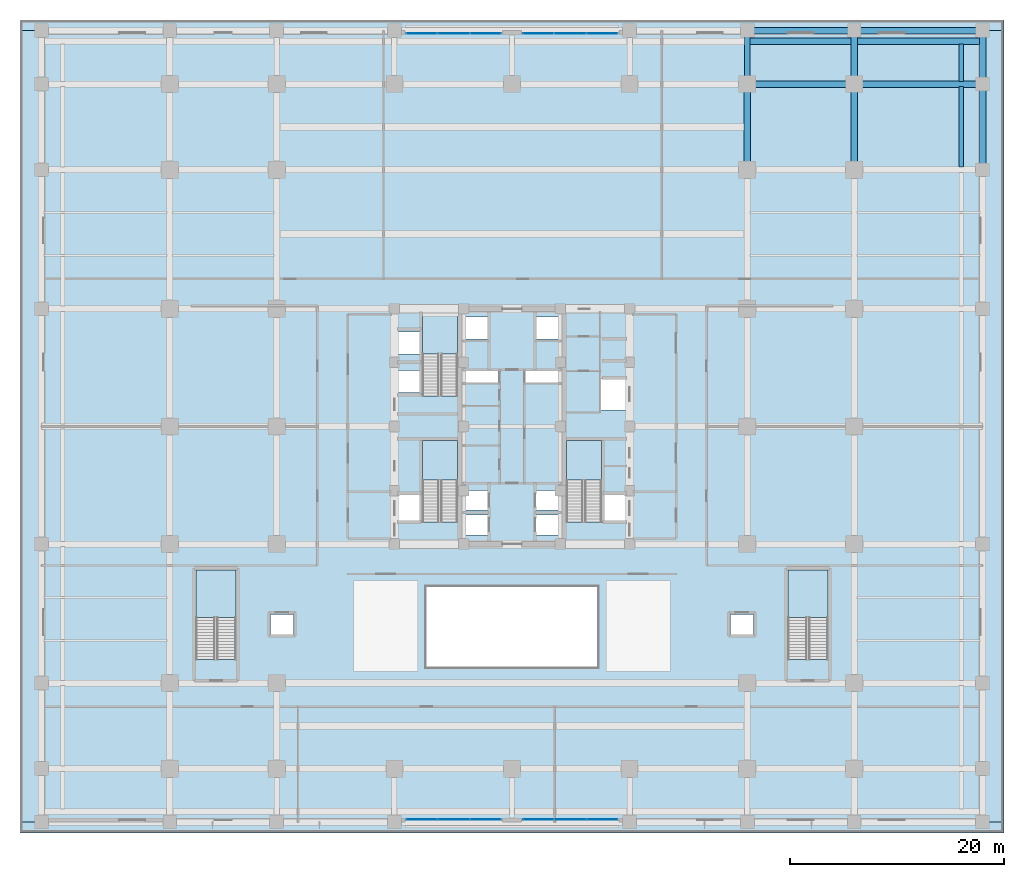
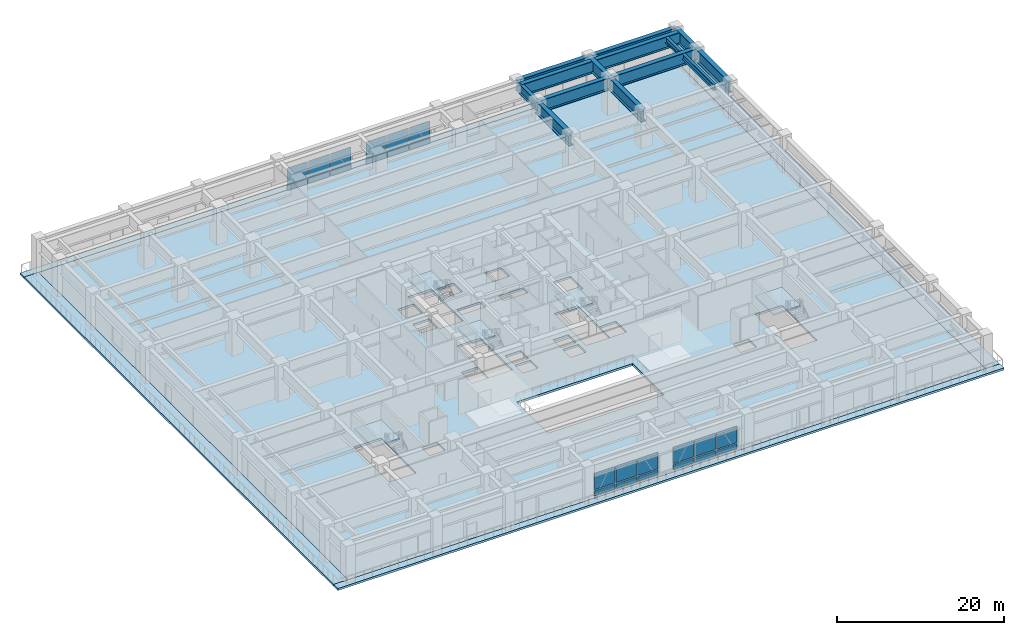
# One storey, part 14 of 28: 24 plates, 14 beams, 10 slabs, 9 elements without a shape of their own.
"""IFC4 building model written with IfcOpenShell, lengths in metres."""

from ifc_helpers import new_model, si_unit, direction, frame, origin, origin_2d, place, context, subcontext, project, spatial, polyline, rectangle, i_section, outline, extrude, source, transform, mapped, material, layer, layer_set, material_profile, profile_set, type_object, element, aggregate, save


model = new_model("IFC4")

# Units and contexts
model_context = context("Model", 3, precision=1e-05, world=origin(), true_north=direction((0.0, 1.0)))
body_context = subcontext(model_context, "Body", "Model", "MODEL_VIEW")
ifc_project = project(units=[si_unit("LENGTHUNIT", "METRE"), si_unit("AREAUNIT", "SQUARE_METRE"), si_unit("VOLUMEUNIT", "CUBIC_METRE"), si_unit("PLANEANGLEUNIT", "RADIAN"), si_unit("MASSUNIT", "GRAM", prefix="KILO")], contexts=[model_context])

# Site, building, storey
site_placement = place(None, origin())
site = spatial("IfcSite", under=ifc_project, at=site_placement, CompositionType="ELEMENT")
building_placement = place(site_placement, origin())
building = spatial("IfcBuilding", under=site, at=building_placement, Name="Khorayat Bourse Tower", CompositionType="ELEMENT")
storey_placement = place(building_placement, frame((0.0, 0.0, 6.60009765625)))
storey = spatial("IfcBuildingStorey", under=building, at=storey_placement, Name="L01", CompositionType="ELEMENT", Elevation=6.60009765625)

# Beams
ifc_material_1 = material(Name="Steel EN 10025-4 S460M", Category="steel")
ifc_material_profile_1 = material_profile(ifc_material_1, i_section(OverallWidth=0.60009765625, OverallDepth=1.800048828125, WebThickness=0.031982421875, FlangeThickness=0.06005859375, at=origin_2d()), Name="PG 1800x600x32x60")
ifc_profile_set_1 = profile_set([ifc_material_profile_1], Name="Steel EN 10025-4 S460M")
beam_type_1 = type_object("IfcBeamType", Name="BM-TR-1800", PredefinedType="BEAM", material=ifc_profile_set_1)
shared_shape_1 = source(origin(), body_context, "Body", "SweptSolid", [
    extrude(i_section(OverallWidth=0.60009765625, OverallDepth=1.800048828125, WebThickness=0.031982421875, FlangeThickness=0.06005859375, at=origin_2d()), origin(), (0.0, 0.0, 1.0), 10.0),
])
for number, where, z_axis, x_axis, name in (
    (1, (22.0, 32.0, 4.179931640625), (1.0, 0.0, 0.0), (0.0, 1.0, 0.0), "L01 BM-TR-1800 BM-L01-PGX-084"),
    (2, (22.0, 36.0, 4.179931640625), (1.0, 0.0, 0.0), (0.0, 1.0, 0.0), "L01 BM-TR-1800 BM-L01-PGX-089"),
    (3, (22.0, 37.0, 4.179931640625), (1.0, 0.0, 0.0), (0.0, 1.0, 0.0), "L01 BM-TR-1800 BM-L01-PGX-096"),
):
    element("IfcBeam", number, at=place(storey_placement, frame(where, z_axis=z_axis, x_axis=x_axis)), inside=storey, type_object=beam_type_1, Name=name, PredefinedType="BEAM", context=body_context, shape_type="MappedRepresentation", body=[
        mapped(shared_shape_1, transform((0.0, 0.0, 0.0), scale=1.0)),
    ])
shared_shape_2 = source(origin(), body_context, "Body", "SweptSolid", [
    extrude(i_section(OverallWidth=0.60009765625, OverallDepth=1.800048828125, WebThickness=0.031982421875, FlangeThickness=0.06005859375, at=origin_2d()), origin(), (0.0, 0.0, 1.0), 8.0),
])
for number, where, z_axis, x_axis, name in (
    (4, (22.0, 24.0, 4.179931640625), (0.0, 1.0, 0.0), (-1.0, 0.0, 0.0), "L01 BM-TR-1800 BM-L01-PGY-142"),
    (5, (32.0, 24.0, 4.179931640625), (0.0, 1.0, 0.0), (-1.0, 0.0, 0.0), "L01 BM-TR-1800 BM-L01-PGY-150"),
    (6, (44.0, 24.0, 4.179931640625), (0.0, 1.0, 0.0), (-1.0, 0.0, 0.0), "L01 BM-TR-1800 BM-L01-PGY-165"),
):
    element("IfcBeam", number, at=place(storey_placement, frame(where, z_axis=z_axis, x_axis=x_axis)), inside=storey, type_object=beam_type_1, Name=name, PredefinedType="BEAM", context=body_context, shape_type="MappedRepresentation", body=[
        mapped(shared_shape_2, transform((0.0, 0.0, 0.0), scale=1.0)),
    ])
ifc_material_2 = material(Name="Steel ASTM A992 Grade 50", Category="steel")
ifc_material_profile_2 = material_profile(ifc_material_2, i_section(OverallWidth=0.39990234375, OverallDepth=0.85498046875, WebThickness=0.018310546875, FlangeThickness=0.029296875, FilletRadius=0.02001953125, at=origin_2d()), Name="W840X299")
ifc_profile_set_2 = profile_set([ifc_material_profile_2], Name="Steel ASTM A992 Grade 50")
beam_type_2 = type_object("IfcBeamType", Name="BM-GIRD-840", PredefinedType="BEAM", material=ifc_profile_set_2)
shared_shape_3 = source(origin(), body_context, "Body", "SweptSolid", [
    extrude(i_section(OverallWidth=0.39990234375, OverallDepth=0.85498046875, WebThickness=0.018310546875, FlangeThickness=0.029296875, FilletRadius=0.02001953125, at=origin_2d()), origin(), (0.0, 0.0, 1.0), 7.52001953125),
])
beam_1_placement = place(storey_placement, frame((42.0, 24.239990234375, 4.65234375), z_axis=(0.0, 1.0, 0.0), x_axis=(-1.0, 0.0, 0.0)))
element("IfcBeam", 7, at=beam_1_placement, inside=storey, type_object=beam_type_2, Name="L01 BM-GIRD-840 BM-L01-PGY-158", PredefinedType="BEAM", context=body_context, shape_type="MappedRepresentation", body=[
    mapped(shared_shape_3, transform((0.0, 0.0, 0.0), scale=1.0)),
])
shared_shape_4 = source(origin(), body_context, "Body", "SweptSolid", [
    extrude(i_section(OverallWidth=0.60009765625, OverallDepth=1.800048828125, WebThickness=0.031982421875, FlangeThickness=0.06005859375, at=origin_2d()), origin(), (0.0, 0.0, 1.0), 12.0),
])
for number, where, z_axis, x_axis, name in (
    (8, (32.0, 32.0, 4.179931640625), (1.0, 0.0, 0.0), (0.0, 1.0, 0.0), "L01 BM-TR-1800 BM-L01-PGX-085"),
    (9, (32.0, 36.0, 4.179931640625), (1.0, 0.0, 0.0), (0.0, 1.0, 0.0), "L01 BM-TR-1800 BM-L01-PGX-090"),
    (10, (32.0, 37.0, 4.179931640625), (1.0, 0.0, 0.0), (0.0, 1.0, 0.0), "L01 BM-TR-1800 BM-L01-PGX-097"),
):
    element("IfcBeam", number, at=place(storey_placement, frame(where, z_axis=z_axis, x_axis=x_axis)), inside=storey, type_object=beam_type_1, Name=name, PredefinedType="BEAM", context=body_context, shape_type="MappedRepresentation", body=[
        mapped(shared_shape_4, transform((0.0, 0.0, 0.0), scale=1.0)),
    ])
shared_shape_5 = source(origin(), body_context, "Body", "SweptSolid", [
    extrude(i_section(OverallWidth=0.60009765625, OverallDepth=1.800048828125, WebThickness=0.031982421875, FlangeThickness=0.06005859375, at=origin_2d()), origin(), (0.0, 0.0, 1.0), 5.0),
])
for number, where, z_axis, x_axis, name in (
    (11, (32.0, 32.0, 4.179931640625), (0.0, 1.0, 0.0), (-1.0, 0.0, 0.0), "L01 BM-TR-1800 BM-L01-PGY-151"),
    (12, (44.0, 32.0, 4.179931640625), (0.0, 1.0, 0.0), (-1.0, 0.0, 0.0), "L01 BM-TR-1800 BM-L01-PGY-166"),
):
    element("IfcBeam", number, at=place(storey_placement, frame(where, z_axis=z_axis, x_axis=x_axis)), inside=storey, type_object=beam_type_1, Name=name, PredefinedType="BEAM", context=body_context, shape_type="MappedRepresentation", body=[
        mapped(shared_shape_5, transform((0.0, 0.0, 0.0), scale=1.0)),
    ])
shared_shape_6 = source(origin(), body_context, "Body", "SweptSolid", [
    extrude(i_section(OverallWidth=0.39990234375, OverallDepth=0.85498046875, WebThickness=0.018310546875, FlangeThickness=0.029296875, FilletRadius=0.02001953125, at=origin_2d()), origin(), (0.0, 0.0, 1.0), 3.52001953125),
])
beam_2_placement = place(storey_placement, frame((42.0, 32.239990234375, 4.65234375), z_axis=(0.0, 1.0, 0.0), x_axis=(-1.0, 0.0, 0.0)))
element("IfcBeam", 13, at=beam_2_placement, inside=storey, type_object=beam_type_2, Name="L01 BM-GIRD-840 BM-L01-PGY-159", PredefinedType="BEAM", context=body_context, shape_type="MappedRepresentation", body=[
    mapped(shared_shape_6, transform((0.0, 0.0, 0.0), scale=1.0)),
])
ifc_material_profile_3 = material_profile(ifc_material_1, i_section(OverallWidth=0.5, OverallDepth=1.39990234375, WebThickness=0.02490234375, FlangeThickness=0.050048828125, at=origin_2d()), Name="PG 1400x500x25x50")
ifc_profile_set_3 = profile_set([ifc_material_profile_3], Name="Steel EN 10025-4 S460M")
beam_type_3 = type_object("IfcBeamType", Name="BM-TR-1400", PredefinedType="BEAM", material=ifc_profile_set_3)
shared_shape_7 = source(origin(), body_context, "Body", "SweptSolid", [
    extrude(i_section(OverallWidth=0.5, OverallDepth=1.39990234375, WebThickness=0.02490234375, FlangeThickness=0.050048828125, at=origin_2d()), origin(), (0.0, 0.0, 1.0), 5.0),
])
beam_3_placement = place(storey_placement, frame((22.0, 32.0, 4.3798828125), z_axis=(0.0, 1.0, 0.0), x_axis=(-1.0, 0.0, 0.0)))
element("IfcBeam", 14, at=beam_3_placement, inside=storey, type_object=beam_type_3, Name="L01 BM-TR-1400 BM-L01-PGY-143", PredefinedType="BEAM", context=body_context, shape_type="MappedRepresentation", body=[
    mapped(shared_shape_7, transform((0.0, 0.0, 0.0), scale=1.0)),
])

# Stair, slab
ifc_material_3 = material(Name="Concrete C40/50", Category="concrete")
stair_type_1 = type_object("IfcStairType", Name="STR-CORE-1550", PredefinedType="HALF_TURN_STAIR", material=ifc_material_3)
stair_1_placement = place(storey_placement, origin())
stair_1 = element("IfcStair", 15, at=stair_1_placement, inside=storey, type_object=stair_type_1, Name="L01 Exit Stair ST-1", PredefinedType="HALF_TURN_STAIR")
ifc_layer_1 = layer(ifc_material_3, 0.199951171875)
ifc_layer_set_1 = layer_set([ifc_layer_1], Name="Concrete C40/50")
slab_type_1 = type_object("IfcSlabType", Name="SLB-LANDING-200", PredefinedType="LANDING", material=ifc_layer_set_1)
slab_1_placement = place(storey_placement, frame((0.0, 0.0, 2.5)))
slab_1 = element("IfcSlab", 16, at=slab_1_placement, type_object=slab_type_1, Name="ST-1 landing 1", PredefinedType="LANDING", context=body_context, shape_type="SweptSolid", body=[
    extrude(outline(polyline([(-5.10009765625, -5.030029296875), (-5.10009765625, -1.300048828125), (-8.35009765625, -1.300048828125), (-8.35009765625, -5.030029296875), (-5.10009765625, -5.030029296875)])), origin(), (0.0, 0.0, 1.0), 0.199951171875),
])
aggregate(stair_1, [slab_1])

stair_2_placement = place(storey_placement, origin())
stair_2 = element("IfcStair", 17, at=stair_2_placement, inside=storey, type_object=stair_type_1, Name="L01 Exit Stair ST-2", PredefinedType="HALF_TURN_STAIR")
slab_2_placement = place(storey_placement, frame((0.0, 0.0, 2.5)))
slab_2 = element("IfcSlab", 18, at=slab_2_placement, type_object=slab_type_1, Name="ST-2 landing 1", PredefinedType="LANDING", context=body_context, shape_type="SweptSolid", body=[
    extrude(outline(polyline([(-5.10009765625, 6.77001953125), (-5.10009765625, 10.5), (-8.35009765625, 10.5), (-8.35009765625, 6.77001953125), (-5.10009765625, 6.77001953125)])), origin(), (0.0, 0.0, 1.0), 0.199951171875),
])
aggregate(stair_2, [slab_2])

stair_3_placement = place(storey_placement, origin())
stair_3 = element("IfcStair", 19, at=stair_3_placement, inside=storey, type_object=stair_type_1, Name="L01 Exit Stair ST-3", PredefinedType="HALF_TURN_STAIR")
slab_3_placement = place(storey_placement, frame((0.0, 0.0, 2.5)))
slab_3 = element("IfcSlab", 20, at=slab_3_placement, type_object=slab_type_1, Name="ST-3 landing 1", PredefinedType="LANDING", context=body_context, shape_type="SweptSolid", body=[
    extrude(outline(polyline([(8.35009765625, -5.030029296875), (8.35009765625, -1.300048828125), (5.10009765625, -1.300048828125), (5.10009765625, -5.030029296875), (8.35009765625, -5.030029296875)])), origin(), (0.0, 0.0, 1.0), 0.199951171875),
])
aggregate(stair_3, [slab_3])

stair_type_2 = type_object("IfcStairType", Name="STR-POD-1800", PredefinedType="HALF_TURN_STAIR", material=ifc_material_3)
stair_4_placement = place(storey_placement, origin())
stair_4 = element("IfcStair", 21, at=stair_4_placement, inside=storey, type_object=stair_type_2, Name="L01 Exit Stair ST-P1", PredefinedType="HALF_TURN_STAIR")
slab_4_placement = place(storey_placement, frame((0.0, 0.0, 2.5)))
slab_4 = element("IfcSlab", 22, at=slab_4_placement, type_object=slab_type_1, Name="ST-P1 landing 1", PredefinedType="LANDING", context=body_context, shape_type="SweptSolid", body=[
    extrude(outline(polyline([(-25.800048828125, -17.8798828125), (-25.800048828125, -13.39990234375), (-29.550048828125, -13.39990234375), (-29.550048828125, -17.8798828125), (-25.800048828125, -17.8798828125)])), origin(), (0.0, 0.0, 1.0), 0.199951171875),
])
aggregate(stair_4, [slab_4])

stair_5_placement = place(storey_placement, origin())
stair_5 = element("IfcStair", 23, at=stair_5_placement, inside=storey, type_object=stair_type_2, Name="L01 Exit Stair ST-P2", PredefinedType="HALF_TURN_STAIR")
slab_5_placement = place(storey_placement, frame((0.0, 0.0, 2.5)))
slab_5 = element("IfcSlab", 24, at=slab_5_placement, type_object=slab_type_1, Name="ST-P2 landing 1", PredefinedType="LANDING", context=body_context, shape_type="SweptSolid", body=[
    extrude(outline(polyline([(29.550048828125, -17.8798828125), (29.550048828125, -13.39990234375), (25.800048828125, -13.39990234375), (25.800048828125, -17.8798828125), (29.550048828125, -17.8798828125)])), origin(), (0.0, 0.0, 1.0), 0.199951171875),
])
aggregate(stair_5, [slab_5])

# Slabs
ifc_layer_2 = layer(ifc_material_3, 0.320068359375)
ifc_layer_set_2 = layer_set([ifc_layer_2], Name="Concrete C40/50")
slab_type_2 = type_object("IfcSlabType", Name="SLB-POD-320", PredefinedType="FLOOR", material=ifc_layer_set_2)
slab_6_placement = place(storey_placement, frame((0.0, 0.0, -0.320068359375)))
element("IfcSlab", 25, at=slab_6_placement, inside=storey, type_object=slab_type_2, Name="L01 Main Floor Slab", PredefinedType="FLOOR", context=body_context, shape_type="SweptSolid", body=[
    extrude(outline(polyline([(-44.0, -37.0), (44.0, -37.0), (44.0, 37.0), (-44.0, 37.0), (-44.0, -37.0)]), holes=[polyline([(-8.35009765625, -8.945068359375), (-5.10009765625, -8.945068359375), (-5.10009765625, -1.300048828125), (-8.35009765625, -1.300048828125), (-8.35009765625, -8.945068359375)]), polyline([(-8.35009765625, 2.85498046875), (-5.10009765625, 2.85498046875), (-5.10009765625, 10.5), (-8.35009765625, 10.5), (-8.35009765625, 2.85498046875)]), polyline([(5.10009765625, -8.945068359375), (8.35009765625, -8.945068359375), (8.35009765625, -1.300048828125), (5.10009765625, -1.300048828125), (5.10009765625, -8.945068359375)]), polyline([(-29.550048828125, -21.794921875), (-25.800048828125, -21.794921875), (-25.800048828125, -13.39990234375), (-29.550048828125, -13.39990234375), (-29.550048828125, -21.794921875)]), polyline([(25.800048828125, -21.794921875), (29.550048828125, -21.794921875), (29.550048828125, -13.39990234375), (25.800048828125, -13.39990234375), (25.800048828125, -21.794921875)]), polyline([(-4.3798828125, -10.1298828125), (-2.219970703125, -10.1298828125), (-2.219970703125, -8.27001953125), (-4.3798828125, -8.27001953125), (-4.3798828125, -10.1298828125)]), polyline([(2.219970703125, -10.1298828125), (4.3798828125, -10.1298828125), (4.3798828125, -8.27001953125), (2.219970703125, -8.27001953125), (2.219970703125, -10.1298828125)]), polyline([(-4.3798828125, -7.830078125), (-2.219970703125, -7.830078125), (-2.219970703125, -5.969970703125), (-4.3798828125, -5.969970703125), (-4.3798828125, -7.830078125)]), polyline([(2.219970703125, -7.830078125), (4.3798828125, -7.830078125), (4.3798828125, -5.969970703125), (2.219970703125, -5.969970703125), (2.219970703125, -7.830078125)]), polyline([(-4.3798828125, 8.169921875), (-2.1201171875, 8.169921875), (-2.1201171875, 10.22998046875), (-4.3798828125, 10.22998046875), (-4.3798828125, 8.169921875)]), polyline([(2.1201171875, 8.169921875), (4.3798828125, 8.169921875), (4.3798828125, 10.22998046875), (2.1201171875, 10.22998046875), (2.1201171875, 8.169921875)]), polyline([(-10.679931640625, 3.169921875), (-8.419921875, 3.169921875), (-8.419921875, 5.22998046875), (-10.679931640625, 5.22998046875), (-10.679931640625, 3.169921875)]), polyline([(-10.679931640625, 6.77001953125), (-8.419921875, 6.77001953125), (-8.419921875, 8.830078125), (-10.679931640625, 8.830078125), (-10.679931640625, 6.77001953125)]), polyline([(-22.580078125, -19.429931640625), (-20.419921875, -19.429931640625), (-20.419921875, -17.570068359375), (-22.580078125, -17.570068359375), (-22.580078125, -19.429931640625)]), polyline([(20.419921875, -19.429931640625), (22.580078125, -19.429931640625), (22.580078125, -17.570068359375), (20.419921875, -17.570068359375), (20.419921875, -19.429931640625)]), polyline([(-10.679931640625, -8.929931640625), (-8.419921875, -8.929931640625), (-8.419921875, -6.3701171875), (-10.679931640625, -6.3701171875), (-10.679931640625, -8.929931640625)]), polyline([(8.419921875, -8.929931640625), (10.679931640625, -8.929931640625), (10.679931640625, -6.3701171875), (8.419921875, -6.3701171875), (8.419921875, -8.929931640625)]), polyline([(8.320068359375, 1.52001953125), (10.679931640625, 1.52001953125), (10.679931640625, 4.47998046875), (8.320068359375, 4.47998046875), (8.320068359375, 1.52001953125)]), polyline([(-4.56005859375, 4.080078125), (-1.18994140625, 4.080078125), (-1.18994140625, 5.219970703125), (-4.56005859375, 5.219970703125), (-4.56005859375, 4.080078125)]), polyline([(1.18994140625, 4.080078125), (4.56005859375, 4.080078125), (4.56005859375, 5.219970703125), (1.18994140625, 5.219970703125), (1.18994140625, 4.080078125)]), polyline([(-8.0, -22.5), (8.0, -22.5), (8.0, -15.0), (-8.0, -15.0), (-8.0, -22.5)])]), origin(), (0.0, 0.0, 1.0), 0.320068359375),
])
ifc_layer_3 = layer(ifc_material_3, 0.300048828125)
ifc_layer_set_3 = layer_set([ifc_layer_3], Name="Concrete C40/50")
slab_type_3 = type_object("IfcSlabType", Name="SLB-TERR-300", PredefinedType="FLOOR", material=ifc_layer_set_3)
slab_7_placement = place(storey_placement, frame((0.0, 0.0, -0.300048828125)))
element("IfcSlab", 26, at=slab_7_placement, inside=storey, type_object=slab_type_3, Name="L01 Planted Garden Terrace Slab 01", PredefinedType="FLOOR", context=body_context, shape_type="SweptSolid", body=[
    extrude(outline(polyline([(-46.0, 37.0), (46.0, 37.0), (46.0, 38.0), (-46.0, 38.0), (-46.0, 37.0)])), origin(), (0.0, 0.0, 1.0), 0.300048828125),
])
slab_8_placement = place(storey_placement, frame((0.0, 0.0, -0.300048828125)))
element("IfcSlab", 27, at=slab_8_placement, inside=storey, type_object=slab_type_3, Name="L01 Planted Garden Terrace Slab 02", PredefinedType="FLOOR", context=body_context, shape_type="SweptSolid", body=[
    extrude(outline(polyline([(-46.0, -38.0), (46.0, -38.0), (46.0, -37.0), (-46.0, -37.0), (-46.0, -38.0)])), origin(), (0.0, 0.0, 1.0), 0.300048828125),
])
slab_9_placement = place(storey_placement, frame((0.0, 0.0, -0.300048828125)))
element("IfcSlab", 28, at=slab_9_placement, inside=storey, type_object=slab_type_3, Name="L01 Planted Garden Terrace Slab 03", PredefinedType="FLOOR", context=body_context, shape_type="SweptSolid", body=[
    extrude(outline(polyline([(-46.0, -37.0), (-44.0, -37.0), (-44.0, 37.0), (-46.0, 37.0), (-46.0, -37.0)])), origin(), (0.0, 0.0, 1.0), 0.300048828125),
])
slab_10_placement = place(storey_placement, frame((0.0, 0.0, -0.300048828125)))
element("IfcSlab", 29, at=slab_10_placement, inside=storey, type_object=slab_type_3, Name="L01 Planted Garden Terrace Slab 04", PredefinedType="FLOOR", context=body_context, shape_type="SweptSolid", body=[
    extrude(outline(polyline([(44.0, -37.0), (46.0, -37.0), (46.0, 37.0), (44.0, 37.0), (44.0, -37.0)])), origin(), (0.0, 0.0, 1.0), 0.300048828125),
])

# Curtain wall, plates
ifc_material_4 = material(Name="Aluminium EN AW-6063 T6", Category="aluminium")
curtain_wall_type = type_object("IfcCurtainWallType", Name="CW-SYS-01", PredefinedType="NOTDEFINED", material=ifc_material_4)
curtain_wall_1_placement = place(storey_placement, origin())
curtain_wall_1 = element("IfcCurtainWall", 30, at=curtain_wall_1_placement, inside=storey, type_object=curtain_wall_type, Name="L01 Curtain Wall CW-L01-SW", PredefinedType="NOTDEFINED")
ifc_material_5 = material(Name="Honed desert limestone insulated spandrel", Category="masonry")
ifc_layer_4 = layer(ifc_material_5, 0.06494140625)
ifc_layer_set_4 = layer_set([ifc_layer_4], Name="Honed desert limestone insulated spandrel")
plate_type_1 = type_object("IfcPlateType", Name="CWP-SPAND-03", PredefinedType="CURTAIN_PANEL", material=ifc_layer_set_4)
shared_shape_8 = source(origin(), body_context, "Body", "SweptSolid", [
    extrude(rectangle(XDim=2.8232421875, YDim=0.06494140625, at=origin_2d()), origin(), (0.0, 0.0, 1.0), 0.739990234375),
])
plate_1_placement = place(storey_placement, frame((-8.4482421875, -36.742919921875, 0.14013671875), z_axis=(0.0, 0.0, 1.0), x_axis=(1.0, 0.0, 0.0)))
plate_1 = element("IfcPlate", 31, at=plate_1_placement, type_object=plate_type_1, Name="CW-L01-SW Spandrel Panel 1-1", PredefinedType="CURTAIN_PANEL", context=body_context, shape_type="MappedRepresentation", body=[
    mapped(shared_shape_8, transform((0.0, 0.0, 0.0), scale=1.0)),
])
plate_2_placement = place(storey_placement, frame((-2.45166015625, -36.742919921875, 0.14013671875), z_axis=(0.0, 0.0, 1.0), x_axis=(1.0, 0.0, 0.0)))
plate_2 = element("IfcPlate", 32, at=plate_2_placement, type_object=plate_type_1, Name="CW-L01-SW Spandrel Panel 3-1", PredefinedType="CURTAIN_PANEL", context=body_context, shape_type="MappedRepresentation", body=[
    mapped(shared_shape_8, transform((0.0, 0.0, 0.0), scale=1.0)),
])

curtain_wall_2_placement = place(storey_placement, origin())
curtain_wall_2 = element("IfcCurtainWall", 33, at=curtain_wall_2_placement, inside=storey, type_object=curtain_wall_type, Name="L01 Curtain Wall CW-L01-SE", PredefinedType="NOTDEFINED")
plate_3_placement = place(storey_placement, frame((2.45166015625, -36.742919921875, 0.14013671875), z_axis=(0.0, 0.0, 1.0), x_axis=(1.0, 0.0, 0.0)))
plate_3 = element("IfcPlate", 34, at=plate_3_placement, type_object=plate_type_1, Name="CW-L01-SE Spandrel Panel 1-1", PredefinedType="CURTAIN_PANEL", context=body_context, shape_type="MappedRepresentation", body=[
    mapped(shared_shape_8, transform((0.0, 0.0, 0.0), scale=1.0)),
])
plate_4_placement = place(storey_placement, frame((8.4482421875, -36.742919921875, 0.14013671875), z_axis=(0.0, 0.0, 1.0), x_axis=(1.0, 0.0, 0.0)))
plate_4 = element("IfcPlate", 35, at=plate_4_placement, type_object=plate_type_1, Name="CW-L01-SE Spandrel Panel 3-1", PredefinedType="CURTAIN_PANEL", context=body_context, shape_type="MappedRepresentation", body=[
    mapped(shared_shape_8, transform((0.0, 0.0, 0.0), scale=1.0)),
])

curtain_wall_3_placement = place(storey_placement, origin())
curtain_wall_3 = element("IfcCurtainWall", 36, at=curtain_wall_3_placement, inside=storey, type_object=curtain_wall_type, Name="L01 Curtain Wall CW-L01-NW", PredefinedType="NOTDEFINED")
plate_5_placement = place(storey_placement, frame((-2.45166015625, 36.742919921875, 0.14013671875), z_axis=(0.0, 0.0, 1.0), x_axis=(-1.0, 0.0, 0.0)))
plate_5 = element("IfcPlate", 37, at=plate_5_placement, type_object=plate_type_1, Name="CW-L01-NW Spandrel Panel 1-1", PredefinedType="CURTAIN_PANEL", context=body_context, shape_type="MappedRepresentation", body=[
    mapped(shared_shape_8, transform((0.0, 0.0, 0.0), scale=1.0)),
])
plate_6_placement = place(storey_placement, frame((-8.4482421875, 36.742919921875, 0.14013671875), z_axis=(0.0, 0.0, 1.0), x_axis=(-1.0, 0.0, 0.0)))
plate_6 = element("IfcPlate", 38, at=plate_6_placement, type_object=plate_type_1, Name="CW-L01-NW Spandrel Panel 3-1", PredefinedType="CURTAIN_PANEL", context=body_context, shape_type="MappedRepresentation", body=[
    mapped(shared_shape_8, transform((0.0, 0.0, 0.0), scale=1.0)),
])

curtain_wall_4_placement = place(storey_placement, origin())
curtain_wall_4 = element("IfcCurtainWall", 39, at=curtain_wall_4_placement, inside=storey, type_object=curtain_wall_type, Name="L01 Curtain Wall CW-L01-NE", PredefinedType="NOTDEFINED")
plate_7_placement = place(storey_placement, frame((8.4482421875, 36.742919921875, 0.14013671875), z_axis=(0.0, 0.0, 1.0), x_axis=(-1.0, 0.0, 0.0)))
plate_7 = element("IfcPlate", 40, at=plate_7_placement, type_object=plate_type_1, Name="CW-L01-NE Spandrel Panel 1-1", PredefinedType="CURTAIN_PANEL", context=body_context, shape_type="MappedRepresentation", body=[
    mapped(shared_shape_8, transform((0.0, 0.0, 0.0), scale=1.0)),
])
plate_8_placement = place(storey_placement, frame((2.45166015625, 36.742919921875, 0.14013671875), z_axis=(0.0, 0.0, 1.0), x_axis=(-1.0, 0.0, 0.0)))
plate_8 = element("IfcPlate", 41, at=plate_8_placement, type_object=plate_type_1, Name="CW-L01-NE Spandrel Panel 3-1", PredefinedType="CURTAIN_PANEL", context=body_context, shape_type="MappedRepresentation", body=[
    mapped(shared_shape_8, transform((0.0, 0.0, 0.0), scale=1.0)),
])

# Plate
ifc_material_6 = material(Name="Low-E solar-control laminated double glazing", Category="glass")
ifc_layer_5 = layer(ifc_material_6, 0.035888671875)
ifc_layer_set_5 = layer_set([ifc_layer_5], Name="Low-E solar-control laminated double glazing")
plate_type_2 = type_object("IfcPlateType", Name="CWP-VIS-01", PredefinedType="CURTAIN_PANEL", material=ifc_layer_set_5)
shared_shape_9 = source(origin(), body_context, "Body", "SweptSolid", [
    extrude(rectangle(XDim=2.8232421875, YDim=0.035888671875, at=origin_2d()), origin(), (0.0, 0.0, 1.0), 2.389892578125),
])
plate_9_placement = place(storey_placement, frame((-8.4482421875, -36.742919921875, 1.02001953125), z_axis=(0.0, 0.0, 1.0), x_axis=(1.0, 0.0, 0.0)))
plate_9 = element("IfcPlate", 42, at=plate_9_placement, type_object=plate_type_2, Name="CW-L01-SW Vision Panel 1-2", PredefinedType="CURTAIN_PANEL", context=body_context, shape_type="MappedRepresentation", body=[
    mapped(shared_shape_9, transform((0.0, 0.0, 0.0), scale=1.0)),
])

plate_10_placement = place(storey_placement, frame((-2.45166015625, -36.742919921875, 1.02001953125), z_axis=(0.0, 0.0, 1.0), x_axis=(1.0, 0.0, 0.0)))
plate_10 = element("IfcPlate", 43, at=plate_10_placement, type_object=plate_type_2, Name="CW-L01-SW Vision Panel 3-2", PredefinedType="CURTAIN_PANEL", context=body_context, shape_type="MappedRepresentation", body=[
    mapped(shared_shape_9, transform((0.0, 0.0, 0.0), scale=1.0)),
])

plate_11_placement = place(storey_placement, frame((2.45166015625, -36.742919921875, 1.02001953125), z_axis=(0.0, 0.0, 1.0), x_axis=(1.0, 0.0, 0.0)))
plate_11 = element("IfcPlate", 44, at=plate_11_placement, type_object=plate_type_2, Name="CW-L01-SE Vision Panel 1-2", PredefinedType="CURTAIN_PANEL", context=body_context, shape_type="MappedRepresentation", body=[
    mapped(shared_shape_9, transform((0.0, 0.0, 0.0), scale=1.0)),
])

plate_12_placement = place(storey_placement, frame((8.4482421875, -36.742919921875, 1.02001953125), z_axis=(0.0, 0.0, 1.0), x_axis=(1.0, 0.0, 0.0)))
plate_12 = element("IfcPlate", 45, at=plate_12_placement, type_object=plate_type_2, Name="CW-L01-SE Vision Panel 3-2", PredefinedType="CURTAIN_PANEL", context=body_context, shape_type="MappedRepresentation", body=[
    mapped(shared_shape_9, transform((0.0, 0.0, 0.0), scale=1.0)),
])

plate_13_placement = place(storey_placement, frame((-2.45166015625, 36.742919921875, 1.02001953125), z_axis=(0.0, 0.0, 1.0), x_axis=(-1.0, 0.0, 0.0)))
plate_13 = element("IfcPlate", 46, at=plate_13_placement, type_object=plate_type_2, Name="CW-L01-NW Vision Panel 1-2", PredefinedType="CURTAIN_PANEL", context=body_context, shape_type="MappedRepresentation", body=[
    mapped(shared_shape_9, transform((0.0, 0.0, 0.0), scale=1.0)),
])

plate_14_placement = place(storey_placement, frame((-8.4482421875, 36.742919921875, 1.02001953125), z_axis=(0.0, 0.0, 1.0), x_axis=(-1.0, 0.0, 0.0)))
plate_14 = element("IfcPlate", 47, at=plate_14_placement, type_object=plate_type_2, Name="CW-L01-NW Vision Panel 3-2", PredefinedType="CURTAIN_PANEL", context=body_context, shape_type="MappedRepresentation", body=[
    mapped(shared_shape_9, transform((0.0, 0.0, 0.0), scale=1.0)),
])

plate_15_placement = place(storey_placement, frame((8.4482421875, 36.742919921875, 1.02001953125), z_axis=(0.0, 0.0, 1.0), x_axis=(-1.0, 0.0, 0.0)))
plate_15 = element("IfcPlate", 48, at=plate_15_placement, type_object=plate_type_2, Name="CW-L01-NE Vision Panel 1-2", PredefinedType="CURTAIN_PANEL", context=body_context, shape_type="MappedRepresentation", body=[
    mapped(shared_shape_9, transform((0.0, 0.0, 0.0), scale=1.0)),
])

plate_16_placement = place(storey_placement, frame((2.45166015625, 36.742919921875, 1.02001953125), z_axis=(0.0, 0.0, 1.0), x_axis=(-1.0, 0.0, 0.0)))
plate_16 = element("IfcPlate", 49, at=plate_16_placement, type_object=plate_type_2, Name="CW-L01-NE Vision Panel 3-2", PredefinedType="CURTAIN_PANEL", context=body_context, shape_type="MappedRepresentation", body=[
    mapped(shared_shape_9, transform((0.0, 0.0, 0.0), scale=1.0)),
])

shared_shape_10 = source(origin(), body_context, "Body", "SweptSolid", [
    extrude(rectangle(XDim=2.893310546875, YDim=0.06494140625, at=origin_2d()), origin(), (0.0, 0.0, 1.0), 0.739990234375),
])
plate_17_placement = place(storey_placement, frame((-5.449951171875, -36.742919921875, 0.14013671875), z_axis=(0.0, 0.0, 1.0), x_axis=(1.0, 0.0, 0.0)))
plate_17 = element("IfcPlate", 50, at=plate_17_placement, type_object=plate_type_1, Name="CW-L01-SW Spandrel Panel 2-1", PredefinedType="CURTAIN_PANEL", context=body_context, shape_type="MappedRepresentation", body=[
    mapped(shared_shape_10, transform((0.0, 0.0, 0.0), scale=1.0)),
])

plate_18_placement = place(storey_placement, frame((5.449951171875, -36.742919921875, 0.14013671875), z_axis=(0.0, 0.0, 1.0), x_axis=(1.0, 0.0, 0.0)))
plate_18 = element("IfcPlate", 51, at=plate_18_placement, type_object=plate_type_1, Name="CW-L01-SE Spandrel Panel 2-1", PredefinedType="CURTAIN_PANEL", context=body_context, shape_type="MappedRepresentation", body=[
    mapped(shared_shape_10, transform((0.0, 0.0, 0.0), scale=1.0)),
])

plate_19_placement = place(storey_placement, frame((-5.449951171875, 36.742919921875, 0.14013671875), z_axis=(0.0, 0.0, 1.0), x_axis=(-1.0, 0.0, 0.0)))
plate_19 = element("IfcPlate", 52, at=plate_19_placement, type_object=plate_type_1, Name="CW-L01-NW Spandrel Panel 2-1", PredefinedType="CURTAIN_PANEL", context=body_context, shape_type="MappedRepresentation", body=[
    mapped(shared_shape_10, transform((0.0, 0.0, 0.0), scale=1.0)),
])

plate_20_placement = place(storey_placement, frame((5.449951171875, 36.742919921875, 0.14013671875), z_axis=(0.0, 0.0, 1.0), x_axis=(-1.0, 0.0, 0.0)))
plate_20 = element("IfcPlate", 53, at=plate_20_placement, type_object=plate_type_1, Name="CW-L01-NE Spandrel Panel 2-1", PredefinedType="CURTAIN_PANEL", context=body_context, shape_type="MappedRepresentation", body=[
    mapped(shared_shape_10, transform((0.0, 0.0, 0.0), scale=1.0)),
])

shared_shape_11 = source(origin(), body_context, "Body", "SweptSolid", [
    extrude(rectangle(XDim=2.893310546875, YDim=0.035888671875, at=origin_2d()), origin(), (0.0, 0.0, 1.0), 2.389892578125),
])
plate_21_placement = place(storey_placement, frame((-5.449951171875, -36.742919921875, 1.02001953125), z_axis=(0.0, 0.0, 1.0), x_axis=(1.0, 0.0, 0.0)))
plate_21 = element("IfcPlate", 54, at=plate_21_placement, type_object=plate_type_2, Name="CW-L01-SW Vision Panel 2-2", PredefinedType="CURTAIN_PANEL", context=body_context, shape_type="MappedRepresentation", body=[
    mapped(shared_shape_11, transform((0.0, 0.0, 0.0), scale=1.0)),
])

aggregate(curtain_wall_1, [plate_1, plate_9, plate_17, plate_21, plate_2, plate_10])

plate_22_placement = place(storey_placement, frame((5.449951171875, -36.742919921875, 1.02001953125), z_axis=(0.0, 0.0, 1.0), x_axis=(1.0, 0.0, 0.0)))
plate_22 = element("IfcPlate", 55, at=plate_22_placement, type_object=plate_type_2, Name="CW-L01-SE Vision Panel 2-2", PredefinedType="CURTAIN_PANEL", context=body_context, shape_type="MappedRepresentation", body=[
    mapped(shared_shape_11, transform((0.0, 0.0, 0.0), scale=1.0)),
])

aggregate(curtain_wall_2, [plate_3, plate_11, plate_18, plate_22, plate_4, plate_12])

plate_23_placement = place(storey_placement, frame((-5.449951171875, 36.742919921875, 1.02001953125), z_axis=(0.0, 0.0, 1.0), x_axis=(-1.0, 0.0, 0.0)))
plate_23 = element("IfcPlate", 56, at=plate_23_placement, type_object=plate_type_2, Name="CW-L01-NW Vision Panel 2-2", PredefinedType="CURTAIN_PANEL", context=body_context, shape_type="MappedRepresentation", body=[
    mapped(shared_shape_11, transform((0.0, 0.0, 0.0), scale=1.0)),
])

aggregate(curtain_wall_3, [plate_5, plate_13, plate_19, plate_23, plate_6, plate_14])

plate_24_placement = place(storey_placement, frame((5.449951171875, 36.742919921875, 1.02001953125), z_axis=(0.0, 0.0, 1.0), x_axis=(-1.0, 0.0, 0.0)))
plate_24 = element("IfcPlate", 57, at=plate_24_placement, type_object=plate_type_2, Name="CW-L01-NE Vision Panel 2-2", PredefinedType="CURTAIN_PANEL", context=body_context, shape_type="MappedRepresentation", body=[
    mapped(shared_shape_11, transform((0.0, 0.0, 0.0), scale=1.0)),
])

aggregate(curtain_wall_4, [plate_7, plate_15, plate_20, plate_24, plate_8, plate_16])

save(model, "model.ifc")
